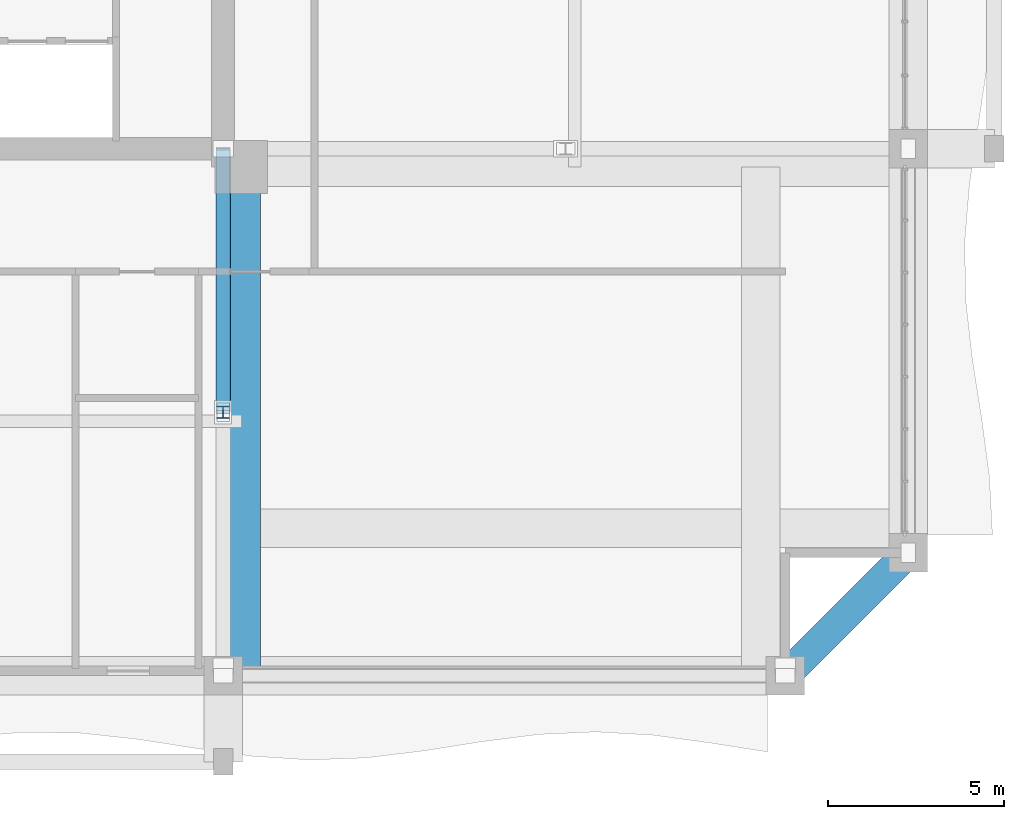
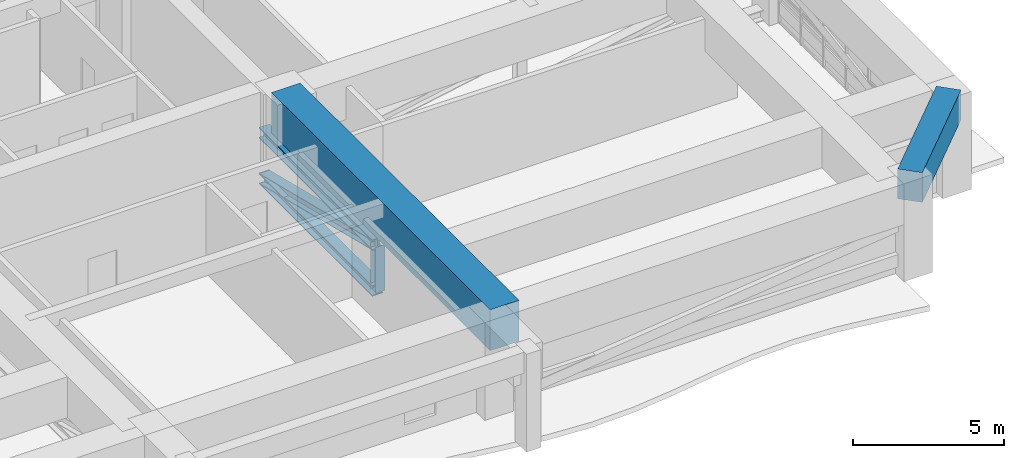
# One storey, part 12 of 35: 4 members, 2 beams.
"""IFC4 building model written with IfcOpenShell, lengths in metres."""

from ifc_helpers import new_model, si_unit, direction, frame, origin, origin_2d, place, context, subcontext, project, spatial, rectangle, i_section, extrude, source, transform, mapped, material, material_profile, profile_set, type_object, element, save


model = new_model("IFC4")

# Units and contexts
model_context = context("Model", 3, precision=1e-05, world=origin(), true_north=direction((0.0, 1.0)))
body_context = subcontext(model_context, "Body", "Model", "MODEL_VIEW")
ifc_project = project(units=[si_unit("LENGTHUNIT", "METRE"), si_unit("AREAUNIT", "SQUARE_METRE"), si_unit("VOLUMEUNIT", "CUBIC_METRE"), si_unit("PLANEANGLEUNIT", "RADIAN"), si_unit("MASSUNIT", "GRAM", prefix="KILO")], contexts=[model_context])

# Site, building, storey
site_placement = place(None, origin())
site = spatial("IfcSite", under=ifc_project, at=site_placement, CompositionType="ELEMENT")
building_placement = place(site_placement, origin())
building = spatial("IfcBuilding", under=site, at=building_placement, Name="Saelheon Loggia Tower", CompositionType="ELEMENT")
storey_placement = place(building_placement, frame((0.0, 0.0, 70.39990234375)))
storey = spatial("IfcBuildingStorey", under=building, at=storey_placement, Name="L22", CompositionType="ELEMENT", Elevation=70.39990234375)

# Beams
ifc_material_1 = material(Name="Concrete C50/60", Category="concrete")
ifc_material_profile_1 = material_profile(ifc_material_1, rectangle(XDim=0.85009765625, YDim=1.199951171875, at=origin_2d()), Name="RC-850x1200")
ifc_profile_set_1 = profile_set([ifc_material_profile_1], Name="Concrete C50/60")
beam_type_1 = type_object("IfcBeamType", Name="Beam_CornerShoulder_RC850x1200", PredefinedType="BEAM", material=ifc_profile_set_1)
shared_shape_1 = source(origin(), body_context, "Body", "SweptSolid", [
    extrude(rectangle(XDim=0.85009765625, YDim=1.199951171875, at=origin_2d()), origin(), (0.0, 0.0, 1.0), 4.94970703125),
])
beam_1_placement = place(storey_placement, frame((60.5, 3.0, 3.35009765625), z_axis=(0.707106781187, 0.707106781187, 0.0), x_axis=(-0.707106781187, 0.707106781187, 0.0)))
element("IfcBeam", 1, at=beam_1_placement, inside=storey, type_object=beam_type_1, Name="L22 Corner Shoulder Beam 04", PredefinedType="BEAM", context=body_context, shape_type="MappedRepresentation", body=[
    mapped(shared_shape_1, transform((0.0, 0.0, 0.0), scale=1.0)),
])
ifc_material_profile_2 = material_profile(ifc_material_1, rectangle(XDim=1.10009765625, YDim=1.64990234375, at=origin_2d()), Name="RC-1100x1650")
ifc_profile_set_2 = profile_set([ifc_material_profile_2], Name="Concrete C50/60")
beam_type_2 = type_object("IfcBeamType", Name="Beam_MegaTransfer_RC1100x1650", PredefinedType="BEAM", material=ifc_profile_set_2)
shared_shape_2 = source(origin(), body_context, "Body", "SweptSolid", [
    extrude(rectangle(XDim=1.10009765625, YDim=1.64990234375, at=origin_2d()), origin(), (0.0, 0.0, 1.0), 14.47998046875),
])
beam_2_placement = place(storey_placement, frame((45.02001953125, 17.47998046875, 3.125), z_axis=(0.0, -1.0, 0.0), x_axis=(1.0, 0.0, 0.0)))
element("IfcBeam", 2, at=beam_2_placement, inside=storey, type_object=beam_type_2, Name="L22 Radial Floor Girder RAD-SE-S", PredefinedType="BEAM", context=body_context, shape_type="MappedRepresentation", body=[
    mapped(shared_shape_2, transform((0.0, 0.0, 0.0), scale=1.0)),
])

# Members
ifc_material_2 = material(Name="Steel SM355", Category="steel")
ifc_material_profile_3 = material_profile(ifc_material_2, i_section(OverallWidth=0.406982421875, OverallDepth=0.427978515625, WebThickness=0.02001953125, FlangeThickness=0.034912109375, at=origin_2d()), Name="H-428x407x20x35")
ifc_profile_set_3 = profile_set([ifc_material_profile_3], Name="Steel SM355")
member_type_1 = type_object("IfcMemberType", Name="Outrigger_Chord_H428", PredefinedType="CHORD", material=ifc_profile_set_3)
shared_shape_3 = source(origin(), body_context, "Body", "SweptSolid", [
    extrude(i_section(OverallWidth=0.406982421875, OverallDepth=0.427978515625, WebThickness=0.02001953125, FlangeThickness=0.034912109375, at=origin_2d()), origin(), (0.0, 0.0, 1.0), 7.5),
])
for number, where, z_axis, x_axis, name in (
    (3, (44.5, 18.0, 0.22021484375), (0.0, -1.0, 0.0), (1.0, 0.0, 0.0), "L22 Outrigger Bottom Chord SE-S 1"),
    (4, (44.5, 18.0, 2.070068359375), (0.0, -1.0, 0.0), (1.0, 0.0, 0.0), "L22 Outrigger Top Chord SE-S 1"),
):
    element("IfcMember", number, at=place(storey_placement, frame(where, z_axis=z_axis, x_axis=x_axis)), inside=storey, type_object=member_type_1, Name=name, PredefinedType="CHORD", context=body_context, shape_type="MappedRepresentation", body=[
        mapped(shared_shape_3, transform((0.0, 0.0, 0.0), scale=1.0)),
    ])
ifc_material_profile_4 = material_profile(ifc_material_2, i_section(OverallWidth=0.35009765625, OverallDepth=0.35009765625, WebThickness=0.011962890625, FlangeThickness=0.01904296875, at=origin_2d()), Name="H-350x350x12x19")
ifc_profile_set_4 = profile_set([ifc_material_profile_4], Name="Steel SM355")
member_type_2 = type_object("IfcMemberType", Name="Outrigger_Post_H350", PredefinedType="POST", material=ifc_profile_set_4)
shared_shape_4 = source(origin(), body_context, "Body", "SweptSolid", [
    extrude(i_section(OverallWidth=0.35009765625, OverallDepth=0.35009765625, WebThickness=0.011962890625, FlangeThickness=0.01904296875, at=origin_2d()), origin(), (0.0, 0.0, 1.0), 1.849853515625),
])
member_1_placement = place(storey_placement, frame((44.5, 10.5, 0.22021484375), z_axis=(0.0, 0.0, 1.0), x_axis=(1.0, 0.0, 0.0)))
element("IfcMember", 5, at=member_1_placement, inside=storey, type_object=member_type_2, Name="L22 Outrigger Web Post SE-S", PredefinedType="POST", context=body_context, shape_type="MappedRepresentation", body=[
    mapped(shared_shape_4, transform((0.0, 0.0, 0.0), scale=1.0)),
])
ifc_material_profile_5 = material_profile(ifc_material_2, i_section(OverallWidth=0.39990234375, OverallDepth=0.39990234375, WebThickness=0.012939453125, FlangeThickness=0.02099609375, at=origin_2d()), Name="H-400x400x13x21")
ifc_profile_set_5 = profile_set([ifc_material_profile_5], Name="Steel SM355")
member_type_3 = type_object("IfcMemberType", Name="Outrigger_Brace_H400", PredefinedType="BRACE", material=ifc_profile_set_5)
shared_shape_5 = source(origin(), body_context, "Body", "SweptSolid", [
    extrude(i_section(OverallWidth=0.39990234375, OverallDepth=0.39990234375, WebThickness=0.012939453125, FlangeThickness=0.02099609375, at=origin_2d()), origin(), (0.0, 0.0, 1.0), 7.724853515625),
])
member_2_placement = place(storey_placement, frame((44.5, 18.0, 0.22021484375), z_axis=(0.0, -0.970903617095, 0.239470595922), x_axis=(1.0, 0.0, 0.0)))
element("IfcMember", 6, at=member_2_placement, inside=storey, type_object=member_type_3, Name="L22 Outrigger Diagonal SE-S 1", PredefinedType="BRACE", context=body_context, shape_type="MappedRepresentation", body=[
    mapped(shared_shape_5, transform((0.0, 0.0, 0.0), scale=1.0)),
])

save(model, "model.ifc")
